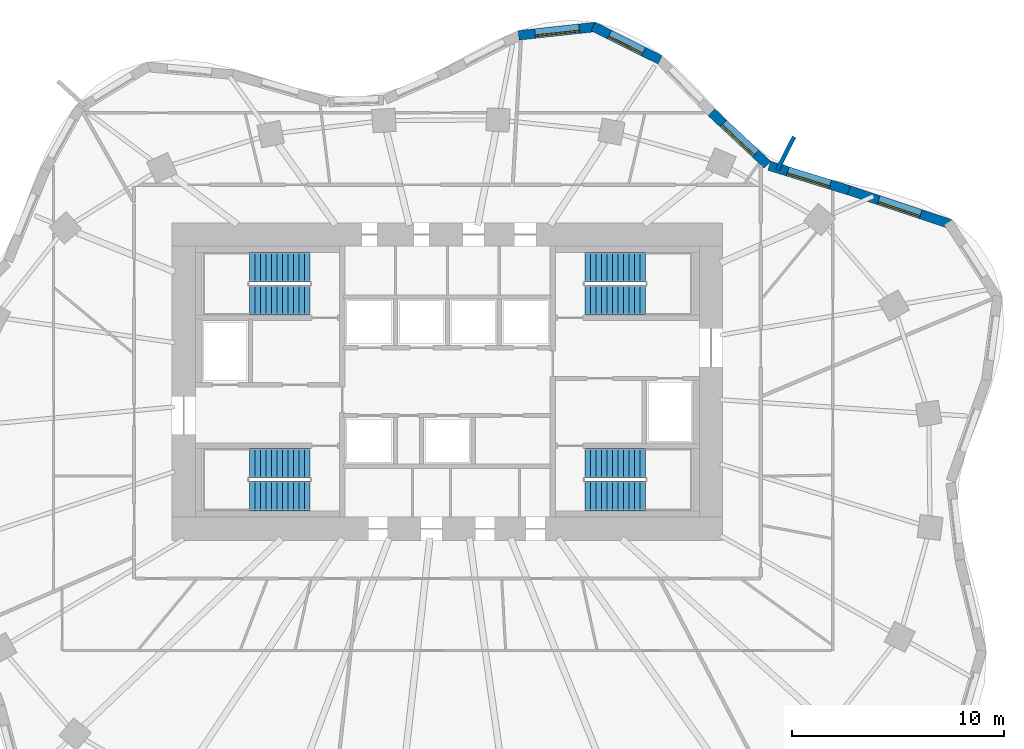
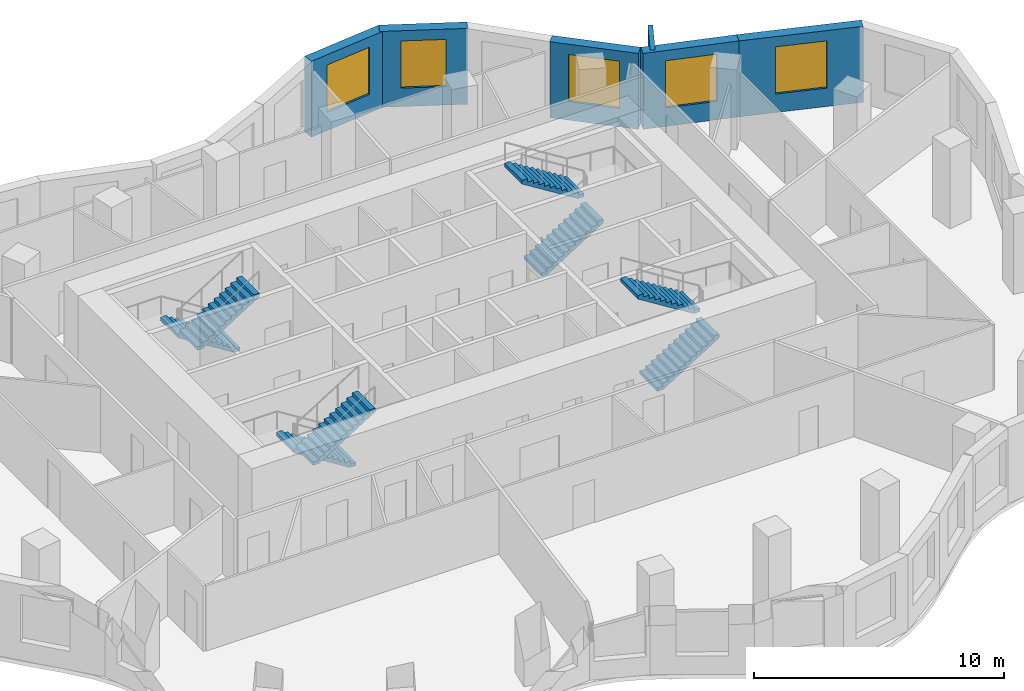
# One storey, part 8 of 9: 8 stair flights, 6 walls, 5 windows, 5 openings, 4 elements without a shape of their own.
"""IFC4 building model written with IfcOpenShell, lengths in metres."""

from ifc_helpers import new_model, si_unit, direction, frame, frame_2d, origin, place, context, subcontext, project, spatial, polyline, rectangle, outline, extrude, material, layer, layer_set, type_object, element, fill, aggregate, save


model = new_model("IFC4")

# Units and contexts
model_context = context("Model", 3, precision=1e-05, world=origin(), true_north=direction((0.0, 1.0)))
body_context = subcontext(model_context, "Body", "Model", "MODEL_VIEW")
ifc_project = project(units=[si_unit("LENGTHUNIT", "METRE"), si_unit("AREAUNIT", "SQUARE_METRE"), si_unit("VOLUMEUNIT", "CUBIC_METRE"), si_unit("PLANEANGLEUNIT", "RADIAN"), si_unit("MASSUNIT", "GRAM", prefix="KILO")], contexts=[model_context])

# Site, building, storey
site_placement = place(None, origin())
site = spatial("IfcSite", under=ifc_project, at=site_placement, CompositionType="ELEMENT")
building_placement = place(site_placement, origin())
building = spatial("IfcBuilding", under=site, at=building_placement, Name="Rubra Terraces Tower", CompositionType="ELEMENT")
storey_placement = place(building_placement, frame((0.0, 0.0, 138.300048828125)))
storey = spatial("IfcBuildingStorey", under=building, at=storey_placement, Name="L33", CompositionType="ELEMENT", Elevation=138.300048828125)

# Wall, opening, window
ifc_material_1 = material(Name="Brick masonry red-brown", Category="masonry")
ifc_layer_1 = layer(ifc_material_1, 0.449951171875)
ifc_layer_set_1 = layer_set([ifc_layer_1], Name="Brick masonry red-brown")
wall_type_1 = type_object("IfcWallType", Name="Brick facade wall 450", PredefinedType="SOLIDWALL", material=ifc_layer_set_1)
wall_1_placement = place(storey_placement, frame((23.769775390625, 11.93798828125, 0.0), z_axis=(0.0, 0.0, 1.0), x_axis=(-0.948673679101, 0.316256621402, 0.0)))
wall_1 = element("IfcWall", 1, at=wall_1_placement, inside=storey, type_object=wall_type_1, Name="Facade wall L33 bay 4", PredefinedType="SOLIDWALL", context=body_context, shape_type="SweptSolid", body=[
    extrude(rectangle(XDim=5.076416015625, YDim=0.449951171875, at=frame_2d((2.5380859375, 0.0))), origin(), (0.0, 0.0, 1.0), 3.699951171875),
])
opening_1_placement = place(wall_1_placement, frame((1.48828125, 0.0, 0.89990234375)))
opening_1 = element("IfcOpeningElement", 2, at=opening_1_placement, cuts=wall_1, Name="Opening W1B", PredefinedType="OPENING", context=body_context, shape_type="SweptSolid", body=[
    extrude(rectangle(XDim=2.10009765625, YDim=2.300048828125, at=frame_2d((1.050048828125, 1.14990234375))), frame((0.0, 0.23486328125, 0.0), z_axis=(0.0, -1.0, 0.0), x_axis=(1.0, 0.0, 0.0)), (0.0, 0.0, 1.0), 0.469970703125),
])
ifc_material_2 = material(Name="Clear glass in aluminium frame", Category="aluminium")
window_type_1 = type_object("IfcWindowType", Name="Fixed deep-set window tall storey 2100 x 2300", PartitioningType="SINGLE_PANEL", PredefinedType="WINDOW", material=ifc_material_2)
window_1_placement = place(opening_1_placement, origin())
window_1 = element("IfcWindow", 3, at=window_1_placement, inside=storey, type_object=window_type_1, Name="Window L33 bay 4", OverallHeight=2.300048828125, OverallWidth=2.10009765625, PartitioningType="SINGLE_PANEL", PredefinedType="WINDOW", context=body_context, shape_type="SweptSolid", body=[
    extrude(rectangle(XDim=2.10009765625, YDim=2.300048828125, at=frame_2d((1.050048828125, 1.14990234375))), frame((0.0, 0.135009765625, 0.0), z_axis=(0.0, -1.0, 0.0), x_axis=(1.0, 0.0, 0.0)), (0.0, 0.0, 1.0), 0.06005859375),
])
fill(opening_1, window_1)

wall_2_placement = place(storey_placement, frame((18.95751953125, 13.542236328125, 0.0), z_axis=(0.0, 0.0, 1.0), x_axis=(-0.955792437529, 0.294042201668, 0.0)))
wall_2 = element("IfcWall", 4, at=wall_2_placement, inside=storey, type_object=wall_type_1, Name="Facade wall L33 bay 5", PredefinedType="SOLIDWALL", context=body_context, shape_type="SweptSolid", body=[
    extrude(rectangle(XDim=3.9306640625, YDim=0.449951171875, at=frame_2d((1.96533203125, 0.0))), origin(), (0.0, 0.0, 1.0), 3.699951171875),
])
opening_2_placement = place(wall_2_placement, frame((0.915283203125, 0.0, 0.89990234375)))
opening_2 = element("IfcOpeningElement", 5, at=opening_2_placement, cuts=wall_2, Name="Opening W1B", PredefinedType="OPENING", context=body_context, shape_type="SweptSolid", body=[
    extrude(rectangle(XDim=2.10009765625, YDim=2.300048828125, at=frame_2d((1.050048828125, 1.14990234375))), frame((0.0, 0.23486328125, 0.0), z_axis=(0.0, -1.0, 0.0), x_axis=(1.0, 0.0, 0.0)), (0.0, 0.0, 1.0), 0.469970703125),
])
window_2_placement = place(opening_2_placement, origin())
window_2 = element("IfcWindow", 6, at=window_2_placement, inside=storey, type_object=window_type_1, Name="Window L33 bay 5", OverallHeight=2.300048828125, OverallWidth=2.10009765625, PartitioningType="SINGLE_PANEL", PredefinedType="WINDOW", context=body_context, shape_type="SweptSolid", body=[
    extrude(rectangle(XDim=2.10009765625, YDim=2.300048828125, at=frame_2d((1.050048828125, 1.14990234375))), frame((0.0, 0.135009765625, 0.0), z_axis=(0.0, -1.0, 0.0), x_axis=(1.0, 0.0, 0.0)), (0.0, 0.0, 1.0), 0.06005859375),
])
fill(opening_2, window_2)

wall_3_placement = place(storey_placement, frame((15.120849609375, 14.744873046875, 0.0), z_axis=(0.0, 0.0, 1.0), x_axis=(-0.730618259172, 0.68278617397, 0.0)))
wall_3 = element("IfcWall", 7, at=wall_3_placement, inside=storey, type_object=wall_type_1, Name="Facade wall L33 bay 6", PredefinedType="SOLIDWALL", context=body_context, shape_type="SweptSolid", body=[
    extrude(rectangle(XDim=3.6240234375, YDim=0.449951171875, at=frame_2d((1.81201171875, 0.0))), origin(), (0.0, 0.0, 1.0), 3.699951171875),
])
opening_3_placement = place(wall_3_placement, frame((0.76220703125, 0.0, 0.89990234375)))
opening_3 = element("IfcOpeningElement", 8, at=opening_3_placement, cuts=wall_3, Name="Opening W1B", PredefinedType="OPENING", context=body_context, shape_type="SweptSolid", body=[
    extrude(rectangle(XDim=2.10009765625, YDim=2.300048828125, at=frame_2d((1.050048828125, 1.14990234375))), frame((0.0, 0.23486328125, 0.0), z_axis=(0.0, -1.0, 0.0), x_axis=(1.0, 0.0, 0.0)), (0.0, 0.0, 1.0), 0.469970703125),
])
window_3_placement = place(opening_3_placement, origin())
window_3 = element("IfcWindow", 9, at=window_3_placement, inside=storey, type_object=window_type_1, Name="Window L33 bay 6", OverallHeight=2.300048828125, OverallWidth=2.10009765625, PartitioningType="SINGLE_PANEL", PredefinedType="WINDOW", context=body_context, shape_type="SweptSolid", body=[
    extrude(rectangle(XDim=2.10009765625, YDim=2.300048828125, at=frame_2d((1.050048828125, 1.14990234375))), frame((0.0, 0.135009765625, 0.0), z_axis=(0.0, -1.0, 0.0), x_axis=(1.0, 0.0, 0.0)), (0.0, 0.0, 1.0), 0.06005859375),
])
fill(opening_3, window_3)

wall_4_placement = place(storey_placement, frame((10.041748046875, 19.70361328125, 0.0), z_axis=(0.0, 0.0, 1.0), x_axis=(-0.895268695224, 0.445526613517, 0.0)))
wall_4 = element("IfcWall", 10, at=wall_4_placement, inside=storey, type_object=wall_type_1, Name="Facade wall L33 bay 8", PredefinedType="SOLIDWALL", context=body_context, shape_type="SweptSolid", body=[
    extrude(rectangle(XDim=3.532958984375, YDim=0.449951171875, at=frame_2d((1.7666015625, 0.0))), origin(), (0.0, 0.0, 1.0), 3.699951171875),
])
opening_4_placement = place(wall_4_placement, frame((0.866455078125, 0.0, 0.89990234375)))
opening_4 = element("IfcOpeningElement", 11, at=opening_4_placement, cuts=wall_4, Name="Opening W6B", PredefinedType="OPENING", context=body_context, shape_type="SweptSolid", body=[
    extrude(rectangle(XDim=1.800048828125, YDim=2.300048828125, at=frame_2d((0.89990234375, 1.14990234375))), frame((0.0, 0.23486328125, 0.0), z_axis=(0.0, -1.0, 0.0), x_axis=(1.0, 0.0, 0.0)), (0.0, 0.0, 1.0), 0.469970703125),
])
window_type_2 = type_object("IfcWindowType", Name="Fixed deep-set window at wind fin tall storey 1800 x 2300", PartitioningType="SINGLE_PANEL", PredefinedType="WINDOW", material=ifc_material_2)
window_4_placement = place(opening_4_placement, origin())
window_4 = element("IfcWindow", 12, at=window_4_placement, inside=storey, type_object=window_type_2, Name="Window L33 bay 8", OverallHeight=2.300048828125, OverallWidth=1.800048828125, PartitioningType="SINGLE_PANEL", PredefinedType="WINDOW", context=body_context, shape_type="SweptSolid", body=[
    extrude(rectangle(XDim=1.800048828125, YDim=2.300048828125, at=frame_2d((0.89990234375, 1.14990234375))), frame((0.0, 0.135009765625, 0.0), z_axis=(0.0, -1.0, 0.0), x_axis=(1.0, 0.0, 0.0)), (0.0, 0.0, 1.0), 0.06005859375),
])
fill(opening_4, window_4)

wall_5_placement = place(storey_placement, frame((7.00341796875, 21.25537109375, 0.0), z_axis=(0.0, 0.0, 1.0), x_axis=(-0.99407653264, -0.108682322638, 0.0)))
wall_5 = element("IfcWall", 13, at=wall_5_placement, inside=storey, type_object=wall_type_1, Name="Facade wall L33 bay 9", PredefinedType="SOLIDWALL", context=body_context, shape_type="SweptSolid", body=[
    extrude(rectangle(XDim=3.66162109375, YDim=0.449951171875, at=frame_2d((1.830810546875, 0.0))), origin(), (0.0, 0.0, 1.0), 3.699951171875),
])
opening_5_placement = place(wall_5_placement, frame((0.78076171875, 0.0, 0.89990234375)))
opening_5 = element("IfcOpeningElement", 14, at=opening_5_placement, cuts=wall_5, Name="Opening W1B", PredefinedType="OPENING", context=body_context, shape_type="SweptSolid", body=[
    extrude(rectangle(XDim=2.10009765625, YDim=2.300048828125, at=frame_2d((1.050048828125, 1.14990234375))), frame((0.0, 0.23486328125, 0.0), z_axis=(0.0, -1.0, 0.0), x_axis=(1.0, 0.0, 0.0)), (0.0, 0.0, 1.0), 0.469970703125),
])
window_5_placement = place(opening_5_placement, origin())
window_5 = element("IfcWindow", 15, at=window_5_placement, inside=storey, type_object=window_type_1, Name="Window L33 bay 9", OverallHeight=2.300048828125, OverallWidth=2.10009765625, PartitioningType="SINGLE_PANEL", PredefinedType="WINDOW", context=body_context, shape_type="SweptSolid", body=[
    extrude(rectangle(XDim=2.10009765625, YDim=2.300048828125, at=frame_2d((1.050048828125, 1.14990234375))), frame((0.0, 0.135009765625, 0.0), z_axis=(0.0, -1.0, 0.0), x_axis=(1.0, 0.0, 0.0)), (0.0, 0.0, 1.0), 0.06005859375),
])
fill(opening_5, window_5)

# Wall
ifc_layer_2 = layer(ifc_material_1, 0.199951171875)
ifc_layer_set_2 = layer_set([ifc_layer_2], Name="Brick masonry red-brown")
wall_type_2 = type_object("IfcWallType", Name="Brick wind fin 200", PredefinedType="SOLIDWALL", material=ifc_layer_set_2)
wall_6_placement = place(storey_placement, frame((15.5869140625, 14.507080078125, 0.0), z_axis=(0.0, 0.0, 1.0), x_axis=(0.452117231361, 0.89195852432, 0.0)))
element("IfcWall", 16, at=wall_6_placement, inside=storey, type_object=wall_type_2, Name="Wind fin L33 3", PredefinedType="SOLIDWALL", context=body_context, shape_type="SweptSolid", body=[
    extrude(rectangle(XDim=1.75, YDim=0.199951171875, at=frame_2d((0.875, 0.0))), origin(), (0.0, 0.0, 1.0), 3.699951171875),
])

# Stair, stair flights
ifc_material_3 = material(Name="Concrete C40", Category="concrete")
stair_type = type_object("IfcStairType", Name="Core stair 1400", PredefinedType="HALF_TURN_STAIR", material=ifc_material_3)
stair_1_placement = place(storey_placement, origin())
stair_1 = element("IfcStair", 17, at=stair_1_placement, inside=storey, type_object=stair_type, Name="L33 Exit stair S1", PredefinedType="HALF_TURN_STAIR")
stair_flight_type = type_object("IfcStairFlightType", Name="Core stair flight 1400", PredefinedType="STRAIGHT", material=ifc_material_3)
stair_flight_1_placement = place(storey_placement, frame((-6.5, 0.64990234375, 0.0), z_axis=(0.0, 0.0, 1.0), x_axis=(-1.0, 0.0, 0.0)))
stair_flight_1 = element("IfcStairFlight", 18, at=stair_flight_1_placement, type_object=stair_flight_type, Name="S1 flight 1", NumberOfRisers=12, NumberOfTreads=11, PredefinedType="STRAIGHT", RiserHeight=0.1625, TreadLength=0.26, context=body_context, shape_type="SweptSolid", body=[
    extrude(outline(polyline([(0.0, 0.0), (0.0, 0.16259765625), (0.260009765625, 0.16259765625), (0.260009765625, 0.324951171875), (0.52001953125, 0.324951171875), (0.52001953125, 0.487548828125), (0.780029296875, 0.487548828125), (0.780029296875, 0.64990234375), (1.0400390625, 0.64990234375), (1.0400390625, 0.8125), (1.300048828125, 0.8125), (1.300048828125, 0.97509765625), (1.56005859375, 0.97509765625), (1.56005859375, 1.137451171875), (1.820068359375, 1.137451171875), (1.820068359375, 1.300048828125), (2.080078125, 1.300048828125), (2.080078125, 1.46240234375), (2.340087890625, 1.46240234375), (2.340087890625, 1.625), (2.60009765625, 1.625), (2.60009765625, 1.78759765625), (2.860107421875, 1.78759765625), (2.860107421875, 1.949951171875), (2.860107421875, 1.61083984375), (0.28271484375, 0.0), (0.0, 0.0)])), frame((0.0, 0.699951171875, 0.0), z_axis=(0.0, -1.0, 0.0), x_axis=(1.0, 0.0, 0.0)), (0.0, 0.0, 1.0), 1.39990234375),
])
stair_flight_2_placement = place(storey_placement, frame((-9.360107421875, -0.89990234375, 1.949951171875), z_axis=(0.0, 0.0, 1.0), x_axis=(1.0, 0.0, 0.0)))
stair_flight_2 = element("IfcStairFlight", 19, at=stair_flight_2_placement, type_object=stair_flight_type, Name="S1 flight 2", NumberOfRisers=12, NumberOfTreads=11, PredefinedType="STRAIGHT", RiserHeight=0.1625, TreadLength=0.26, context=body_context, shape_type="SweptSolid", body=[
    extrude(outline(polyline([(0.0, 0.0), (0.0, 0.16259765625), (0.260009765625, 0.16259765625), (0.260009765625, 0.324951171875), (0.52001953125, 0.324951171875), (0.52001953125, 0.487548828125), (0.780029296875, 0.487548828125), (0.780029296875, 0.64990234375), (1.0400390625, 0.64990234375), (1.0400390625, 0.8125), (1.300048828125, 0.8125), (1.300048828125, 0.97509765625), (1.56005859375, 0.97509765625), (1.56005859375, 1.137451171875), (1.820068359375, 1.137451171875), (1.820068359375, 1.300048828125), (2.080078125, 1.300048828125), (2.080078125, 1.46240234375), (2.340087890625, 1.46240234375), (2.340087890625, 1.625), (2.60009765625, 1.625), (2.60009765625, 1.78759765625), (2.860107421875, 1.78759765625), (2.860107421875, 1.949951171875), (2.860107421875, 1.61083984375), (0.28271484375, 0.0), (0.0, 0.0)])), frame((0.0, 0.699951171875, 0.0), z_axis=(0.0, -1.0, 0.0), x_axis=(1.0, 0.0, 0.0)), (0.0, 0.0, 1.0), 1.39990234375),
])
aggregate(stair_1, [stair_flight_1, stair_flight_2])

stair_2_placement = place(storey_placement, origin())
stair_2 = element("IfcStair", 20, at=stair_2_placement, inside=storey, type_object=stair_type, Name="L33 Exit stair S2", PredefinedType="HALF_TURN_STAIR")
stair_flight_3_placement = place(storey_placement, frame((-6.5, 9.89990234375, 0.0), z_axis=(0.0, 0.0, 1.0), x_axis=(-1.0, 0.0, 0.0)))
stair_flight_3 = element("IfcStairFlight", 21, at=stair_flight_3_placement, type_object=stair_flight_type, Name="S2 flight 1", NumberOfRisers=12, NumberOfTreads=11, PredefinedType="STRAIGHT", RiserHeight=0.1625, TreadLength=0.26, context=body_context, shape_type="SweptSolid", body=[
    extrude(outline(polyline([(0.0, 0.0), (0.0, 0.16259765625), (0.260009765625, 0.16259765625), (0.260009765625, 0.324951171875), (0.52001953125, 0.324951171875), (0.52001953125, 0.487548828125), (0.780029296875, 0.487548828125), (0.780029296875, 0.64990234375), (1.0400390625, 0.64990234375), (1.0400390625, 0.8125), (1.300048828125, 0.8125), (1.300048828125, 0.97509765625), (1.56005859375, 0.97509765625), (1.56005859375, 1.137451171875), (1.820068359375, 1.137451171875), (1.820068359375, 1.300048828125), (2.080078125, 1.300048828125), (2.080078125, 1.46240234375), (2.340087890625, 1.46240234375), (2.340087890625, 1.625), (2.60009765625, 1.625), (2.60009765625, 1.78759765625), (2.860107421875, 1.78759765625), (2.860107421875, 1.949951171875), (2.860107421875, 1.61083984375), (0.28271484375, 0.0), (0.0, 0.0)])), frame((0.0, 0.699951171875, 0.0), z_axis=(0.0, -1.0, 0.0), x_axis=(1.0, 0.0, 0.0)), (0.0, 0.0, 1.0), 1.39990234375),
])
stair_flight_4_placement = place(storey_placement, frame((-9.360107421875, 8.35009765625, 1.949951171875), z_axis=(0.0, 0.0, 1.0), x_axis=(1.0, 0.0, 0.0)))
stair_flight_4 = element("IfcStairFlight", 22, at=stair_flight_4_placement, type_object=stair_flight_type, Name="S2 flight 2", NumberOfRisers=12, NumberOfTreads=11, PredefinedType="STRAIGHT", RiserHeight=0.1625, TreadLength=0.26, context=body_context, shape_type="SweptSolid", body=[
    extrude(outline(polyline([(0.0, 0.0), (0.0, 0.16259765625), (0.260009765625, 0.16259765625), (0.260009765625, 0.324951171875), (0.52001953125, 0.324951171875), (0.52001953125, 0.487548828125), (0.780029296875, 0.487548828125), (0.780029296875, 0.64990234375), (1.0400390625, 0.64990234375), (1.0400390625, 0.8125), (1.300048828125, 0.8125), (1.300048828125, 0.97509765625), (1.56005859375, 0.97509765625), (1.56005859375, 1.137451171875), (1.820068359375, 1.137451171875), (1.820068359375, 1.300048828125), (2.080078125, 1.300048828125), (2.080078125, 1.46240234375), (2.340087890625, 1.46240234375), (2.340087890625, 1.625), (2.60009765625, 1.625), (2.60009765625, 1.78759765625), (2.860107421875, 1.78759765625), (2.860107421875, 1.949951171875), (2.860107421875, 1.61083984375), (0.28271484375, 0.0), (0.0, 0.0)])), frame((0.0, 0.699951171875, 0.0), z_axis=(0.0, -1.0, 0.0), x_axis=(1.0, 0.0, 0.0)), (0.0, 0.0, 1.0), 1.39990234375),
])
aggregate(stair_2, [stair_flight_3, stair_flight_4])

stair_3_placement = place(storey_placement, origin())
stair_3 = element("IfcStair", 23, at=stair_3_placement, inside=storey, type_object=stair_type, Name="L33 Exit stair S3", PredefinedType="HALF_TURN_STAIR")
stair_flight_5_placement = place(storey_placement, frame((6.5, 8.35009765625, 0.0), z_axis=(0.0, 0.0, 1.0), x_axis=(1.0, 0.0, 0.0)))
stair_flight_5 = element("IfcStairFlight", 24, at=stair_flight_5_placement, type_object=stair_flight_type, Name="S3 flight 1", NumberOfRisers=12, NumberOfTreads=11, PredefinedType="STRAIGHT", RiserHeight=0.1625, TreadLength=0.26, context=body_context, shape_type="SweptSolid", body=[
    extrude(outline(polyline([(0.0, 0.0), (0.0, 0.16259765625), (0.260009765625, 0.16259765625), (0.260009765625, 0.324951171875), (0.52001953125, 0.324951171875), (0.52001953125, 0.487548828125), (0.780029296875, 0.487548828125), (0.780029296875, 0.64990234375), (1.0400390625, 0.64990234375), (1.0400390625, 0.8125), (1.300048828125, 0.8125), (1.300048828125, 0.97509765625), (1.56005859375, 0.97509765625), (1.56005859375, 1.137451171875), (1.820068359375, 1.137451171875), (1.820068359375, 1.300048828125), (2.080078125, 1.300048828125), (2.080078125, 1.46240234375), (2.340087890625, 1.46240234375), (2.340087890625, 1.625), (2.60009765625, 1.625), (2.60009765625, 1.78759765625), (2.860107421875, 1.78759765625), (2.860107421875, 1.949951171875), (2.860107421875, 1.61083984375), (0.28271484375, 0.0), (0.0, 0.0)])), frame((0.0, 0.699951171875, 0.0), z_axis=(0.0, -1.0, 0.0), x_axis=(1.0, 0.0, 0.0)), (0.0, 0.0, 1.0), 1.39990234375),
])
stair_flight_6_placement = place(storey_placement, frame((9.360107421875, 9.89990234375, 1.949951171875), z_axis=(0.0, 0.0, 1.0), x_axis=(-1.0, 0.0, 0.0)))
stair_flight_6 = element("IfcStairFlight", 25, at=stair_flight_6_placement, type_object=stair_flight_type, Name="S3 flight 2", NumberOfRisers=12, NumberOfTreads=11, PredefinedType="STRAIGHT", RiserHeight=0.1625, TreadLength=0.26, context=body_context, shape_type="SweptSolid", body=[
    extrude(outline(polyline([(0.0, 0.0), (0.0, 0.16259765625), (0.260009765625, 0.16259765625), (0.260009765625, 0.324951171875), (0.52001953125, 0.324951171875), (0.52001953125, 0.487548828125), (0.780029296875, 0.487548828125), (0.780029296875, 0.64990234375), (1.0400390625, 0.64990234375), (1.0400390625, 0.8125), (1.300048828125, 0.8125), (1.300048828125, 0.97509765625), (1.56005859375, 0.97509765625), (1.56005859375, 1.137451171875), (1.820068359375, 1.137451171875), (1.820068359375, 1.300048828125), (2.080078125, 1.300048828125), (2.080078125, 1.46240234375), (2.340087890625, 1.46240234375), (2.340087890625, 1.625), (2.60009765625, 1.625), (2.60009765625, 1.78759765625), (2.860107421875, 1.78759765625), (2.860107421875, 1.949951171875), (2.860107421875, 1.61083984375), (0.28271484375, 0.0), (0.0, 0.0)])), frame((0.0, 0.699951171875, 0.0), z_axis=(0.0, -1.0, 0.0), x_axis=(1.0, 0.0, 0.0)), (0.0, 0.0, 1.0), 1.39990234375),
])
aggregate(stair_3, [stair_flight_5, stair_flight_6])

stair_4_placement = place(storey_placement, origin())
stair_4 = element("IfcStair", 26, at=stair_4_placement, inside=storey, type_object=stair_type, Name="L33 Exit stair S4", PredefinedType="HALF_TURN_STAIR")
stair_flight_7_placement = place(storey_placement, frame((6.5, -0.89990234375, 0.0), z_axis=(0.0, 0.0, 1.0), x_axis=(1.0, 0.0, 0.0)))
stair_flight_7 = element("IfcStairFlight", 27, at=stair_flight_7_placement, type_object=stair_flight_type, Name="S4 flight 1", NumberOfRisers=12, NumberOfTreads=11, PredefinedType="STRAIGHT", RiserHeight=0.1625, TreadLength=0.26, context=body_context, shape_type="SweptSolid", body=[
    extrude(outline(polyline([(0.0, 0.0), (0.0, 0.16259765625), (0.260009765625, 0.16259765625), (0.260009765625, 0.324951171875), (0.52001953125, 0.324951171875), (0.52001953125, 0.487548828125), (0.780029296875, 0.487548828125), (0.780029296875, 0.64990234375), (1.0400390625, 0.64990234375), (1.0400390625, 0.8125), (1.300048828125, 0.8125), (1.300048828125, 0.97509765625), (1.56005859375, 0.97509765625), (1.56005859375, 1.137451171875), (1.820068359375, 1.137451171875), (1.820068359375, 1.300048828125), (2.080078125, 1.300048828125), (2.080078125, 1.46240234375), (2.340087890625, 1.46240234375), (2.340087890625, 1.625), (2.60009765625, 1.625), (2.60009765625, 1.78759765625), (2.860107421875, 1.78759765625), (2.860107421875, 1.949951171875), (2.860107421875, 1.61083984375), (0.28271484375, 0.0), (0.0, 0.0)])), frame((0.0, 0.699951171875, 0.0), z_axis=(0.0, -1.0, 0.0), x_axis=(1.0, 0.0, 0.0)), (0.0, 0.0, 1.0), 1.39990234375),
])
stair_flight_8_placement = place(storey_placement, frame((9.360107421875, 0.64990234375, 1.949951171875), z_axis=(0.0, 0.0, 1.0), x_axis=(-1.0, 0.0, 0.0)))
stair_flight_8 = element("IfcStairFlight", 28, at=stair_flight_8_placement, type_object=stair_flight_type, Name="S4 flight 2", NumberOfRisers=12, NumberOfTreads=11, PredefinedType="STRAIGHT", RiserHeight=0.1625, TreadLength=0.26, context=body_context, shape_type="SweptSolid", body=[
    extrude(outline(polyline([(0.0, 0.0), (0.0, 0.16259765625), (0.260009765625, 0.16259765625), (0.260009765625, 0.324951171875), (0.52001953125, 0.324951171875), (0.52001953125, 0.487548828125), (0.780029296875, 0.487548828125), (0.780029296875, 0.64990234375), (1.0400390625, 0.64990234375), (1.0400390625, 0.8125), (1.300048828125, 0.8125), (1.300048828125, 0.97509765625), (1.56005859375, 0.97509765625), (1.56005859375, 1.137451171875), (1.820068359375, 1.137451171875), (1.820068359375, 1.300048828125), (2.080078125, 1.300048828125), (2.080078125, 1.46240234375), (2.340087890625, 1.46240234375), (2.340087890625, 1.625), (2.60009765625, 1.625), (2.60009765625, 1.78759765625), (2.860107421875, 1.78759765625), (2.860107421875, 1.949951171875), (2.860107421875, 1.61083984375), (0.28271484375, 0.0), (0.0, 0.0)])), frame((0.0, 0.699951171875, 0.0), z_axis=(0.0, -1.0, 0.0), x_axis=(1.0, 0.0, 0.0)), (0.0, 0.0, 1.0), 1.39990234375),
])
aggregate(stair_4, [stair_flight_7, stair_flight_8])

save(model, "model.ifc")
